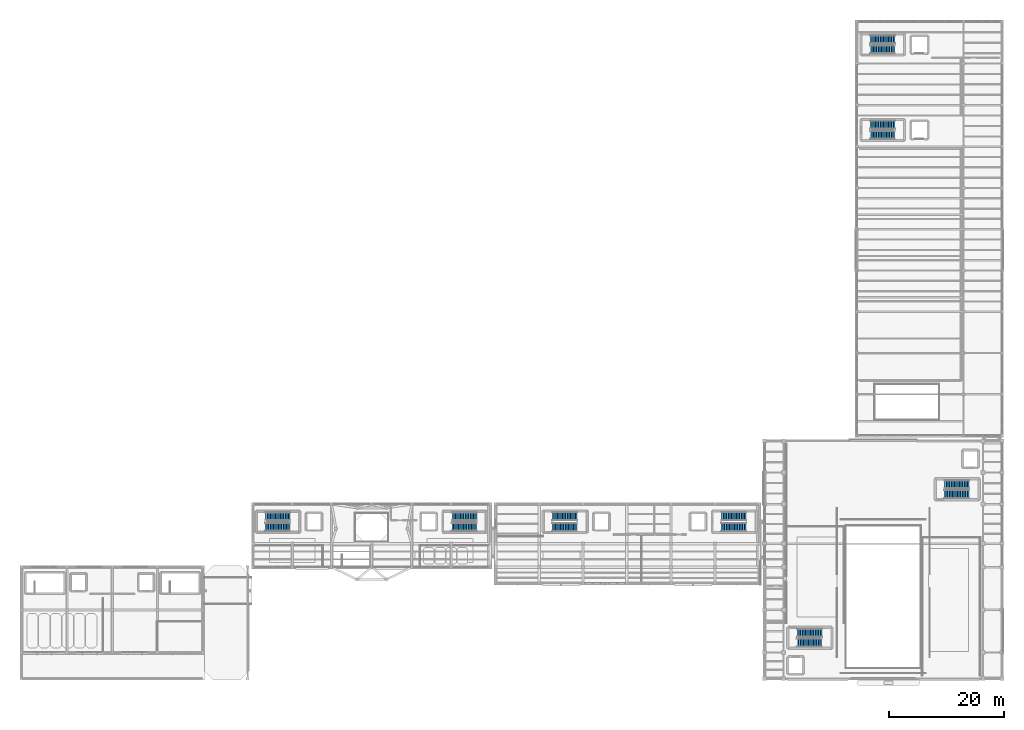
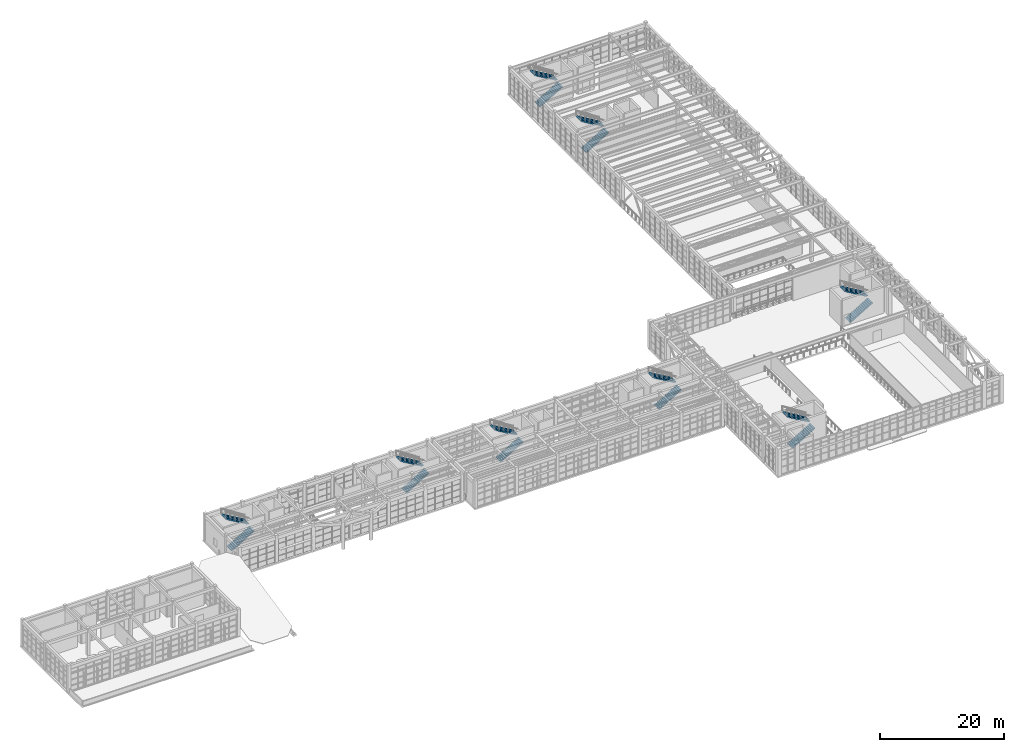
# One storey, part 94 of 103: 16 stair flights, 8 elements without a shape of their own.
"""IFC4 building model written with IfcOpenShell, lengths in metres."""

from ifc_helpers import new_model, si_unit, direction, frame, origin, place, context, subcontext, project, spatial, polyline, outline, extrude, material, type_object, element, aggregate, save


model = new_model("IFC4")

# Units and contexts
model_context = context("Model", 3, precision=1e-05, world=origin(), true_north=direction((0.0, 1.0)))
body_context = subcontext(model_context, "Body", "Model", "MODEL_VIEW")
ifc_project = project(units=[si_unit("LENGTHUNIT", "METRE"), si_unit("AREAUNIT", "SQUARE_METRE"), si_unit("VOLUMEUNIT", "CUBIC_METRE"), si_unit("PLANEANGLEUNIT", "RADIAN"), si_unit("MASSUNIT", "GRAM", prefix="KILO")], contexts=[model_context])

# Site, building, storey
site_placement = place(None, origin())
site = spatial("IfcSite", under=ifc_project, at=site_placement, CompositionType="ELEMENT")
building_placement = place(site_placement, origin())
building = spatial("IfcBuilding", under=site, at=building_placement, Name="Candilejo Ridge Gondola Terminal", CompositionType="ELEMENT")
storey_placement = place(building_placement, frame((0.0, 0.0, 9.0)))
storey = spatial("IfcBuildingStorey", under=building, at=storey_placement, Name="L02", CompositionType="ELEMENT", Elevation=9.0)

# Stair, stair flights
ifc_material_1 = material(Name="Concrete f'c 35 MPa (C35/45)", Category="concrete")
stair_type_1 = type_object("IfcStairType", Name="STR-STAIR-1450-5400", PredefinedType="HALF_TURN_STAIR", material=ifc_material_1)
stair_1_placement = place(storey_placement, origin())
stair_1 = element("IfcStair", 1, at=stair_1_placement, inside=storey, type_object=stair_type_1, Name="Enclosed fire exit stair ST-V2A-L02", PredefinedType="HALF_TURN_STAIR")
ifc_material_2 = material(Name="Concrete f'c 35 MPa (C35/45)", Category="concrete")
stair_flight_type_1 = type_object("IfcStairFlightType", Name="STR-FLIGHT-CORE-1450", PredefinedType="STRAIGHT", material=ifc_material_2)
stair_flight_1_placement = place(storey_placement, frame((46.800048828125, 32.68994140625, 0.0), z_axis=(0.0, 0.0, 1.0), x_axis=(1.0, 0.0, 0.0)))
stair_flight_1 = element("IfcStairFlight", 2, at=stair_flight_1_placement, type_object=stair_flight_type_1, Name="Stair flight ST-V2A-F05", NumberOfRisers=16, NumberOfTreads=15, PredefinedType="STRAIGHT", RiserHeight=0.16875, TreadLength=0.285, context=body_context, shape_type="SweptSolid", body=[
    extrude(outline(polyline([(0.0, 0.0), (0.0, 0.168701171875), (0.284912109375, 0.168701171875), (0.284912109375, 0.33740234375), (0.570068359375, 0.33740234375), (0.570068359375, 0.50634765625), (0.85498046875, 0.50634765625), (0.85498046875, 0.675048828125), (1.139892578125, 0.675048828125), (1.139892578125, 0.84375), (1.425048828125, 0.84375), (1.425048828125, 1.012451171875), (1.7099609375, 1.012451171875), (1.7099609375, 1.18115234375), (1.9951171875, 1.18115234375), (1.9951171875, 1.35009765625), (2.280029296875, 1.35009765625), (2.280029296875, 1.518798828125), (2.56494140625, 1.518798828125), (2.56494140625, 1.6875), (2.85009765625, 1.6875), (2.85009765625, 1.856201171875), (3.135009765625, 1.856201171875), (3.135009765625, 2.02490234375), (3.419921875, 2.02490234375), (3.419921875, 2.19384765625), (3.705078125, 2.19384765625), (3.705078125, 2.362548828125), (3.989990234375, 2.362548828125), (3.989990234375, 2.53125), (4.27490234375, 2.53125), (4.27490234375, 2.699951171875), (4.27490234375, 2.322021484375), (0.353271484375, 0.0), (0.0, 0.0)])), frame((0.0, 0.72509765625, 0.0), z_axis=(0.0, -1.0, 0.0), x_axis=(1.0, 0.0, 0.0)), (0.0, 0.0, 1.0), 1.449951171875),
])
stair_flight_2_placement = place(storey_placement, frame((51.135009765625, 34.56005859375, 2.699951171875), z_axis=(0.0, 0.0, 1.0), x_axis=(-1.0, 0.0, 0.0)))
stair_flight_2 = element("IfcStairFlight", 3, at=stair_flight_2_placement, type_object=stair_flight_type_1, Name="Stair flight ST-V2A-F06", NumberOfRisers=16, NumberOfTreads=15, PredefinedType="STRAIGHT", RiserHeight=0.16875, TreadLength=0.285, context=body_context, shape_type="SweptSolid", body=[
    extrude(outline(polyline([(0.0, 0.0), (0.0, 0.168701171875), (0.284912109375, 0.168701171875), (0.284912109375, 0.33740234375), (0.570068359375, 0.33740234375), (0.570068359375, 0.50634765625), (0.85498046875, 0.50634765625), (0.85498046875, 0.675048828125), (1.139892578125, 0.675048828125), (1.139892578125, 0.84375), (1.425048828125, 0.84375), (1.425048828125, 1.012451171875), (1.7099609375, 1.012451171875), (1.7099609375, 1.18115234375), (1.9951171875, 1.18115234375), (1.9951171875, 1.35009765625), (2.280029296875, 1.35009765625), (2.280029296875, 1.518798828125), (2.56494140625, 1.518798828125), (2.56494140625, 1.6875), (2.85009765625, 1.6875), (2.85009765625, 1.856201171875), (3.135009765625, 1.856201171875), (3.135009765625, 2.02490234375), (3.419921875, 2.02490234375), (3.419921875, 2.19384765625), (3.705078125, 2.19384765625), (3.705078125, 2.362548828125), (3.989990234375, 2.362548828125), (3.989990234375, 2.53125), (4.27490234375, 2.53125), (4.27490234375, 2.699951171875), (4.27490234375, 2.322021484375), (0.353271484375, 0.0), (0.0, 0.0)])), frame((0.0, 0.72509765625, 0.0), z_axis=(0.0, -1.0, 0.0), x_axis=(1.0, 0.0, 0.0)), (0.0, 0.0, 1.0), 1.449951171875),
])
aggregate(stair_1, [stair_flight_1, stair_flight_2])

stair_2_placement = place(storey_placement, origin())
stair_2 = element("IfcStair", 4, at=stair_2_placement, inside=storey, type_object=stair_type_1, Name="Enclosed fire exit stair ST-V2B-L02", PredefinedType="HALF_TURN_STAIR")
stair_flight_3_placement = place(storey_placement, frame((79.35009765625, 32.68994140625, 0.0), z_axis=(0.0, 0.0, 1.0), x_axis=(1.0, 0.0, 0.0)))
stair_flight_3 = element("IfcStairFlight", 5, at=stair_flight_3_placement, type_object=stair_flight_type_1, Name="Stair flight ST-V2B-F05", NumberOfRisers=16, NumberOfTreads=15, PredefinedType="STRAIGHT", RiserHeight=0.16875, TreadLength=0.285, context=body_context, shape_type="SweptSolid", body=[
    extrude(outline(polyline([(0.0, 0.0), (0.0, 0.168701171875), (0.284912109375, 0.168701171875), (0.284912109375, 0.33740234375), (0.570068359375, 0.33740234375), (0.570068359375, 0.50634765625), (0.85498046875, 0.50634765625), (0.85498046875, 0.675048828125), (1.139892578125, 0.675048828125), (1.139892578125, 0.84375), (1.425048828125, 0.84375), (1.425048828125, 1.012451171875), (1.7099609375, 1.012451171875), (1.7099609375, 1.18115234375), (1.9951171875, 1.18115234375), (1.9951171875, 1.35009765625), (2.280029296875, 1.35009765625), (2.280029296875, 1.518798828125), (2.56494140625, 1.518798828125), (2.56494140625, 1.6875), (2.85009765625, 1.6875), (2.85009765625, 1.856201171875), (3.135009765625, 1.856201171875), (3.135009765625, 2.02490234375), (3.419921875, 2.02490234375), (3.419921875, 2.19384765625), (3.705078125, 2.19384765625), (3.705078125, 2.362548828125), (3.989990234375, 2.362548828125), (3.989990234375, 2.53125), (4.27490234375, 2.53125), (4.27490234375, 2.699951171875), (4.27490234375, 2.322021484375), (0.353271484375, 0.0), (0.0, 0.0)])), frame((0.0, 0.72509765625, 0.0), z_axis=(0.0, -1.0, 0.0), x_axis=(1.0, 0.0, 0.0)), (0.0, 0.0, 1.0), 1.449951171875),
])
stair_flight_4_placement = place(storey_placement, frame((83.68505859375, 34.56005859375, 2.699951171875), z_axis=(0.0, 0.0, 1.0), x_axis=(-1.0, 0.0, 0.0)))
stair_flight_4 = element("IfcStairFlight", 6, at=stair_flight_4_placement, type_object=stair_flight_type_1, Name="Stair flight ST-V2B-F06", NumberOfRisers=16, NumberOfTreads=15, PredefinedType="STRAIGHT", RiserHeight=0.16875, TreadLength=0.285, context=body_context, shape_type="SweptSolid", body=[
    extrude(outline(polyline([(0.0, 0.0), (0.0, 0.168701171875), (0.284912109375, 0.168701171875), (0.284912109375, 0.33740234375), (0.570068359375, 0.33740234375), (0.570068359375, 0.50634765625), (0.85498046875, 0.50634765625), (0.85498046875, 0.675048828125), (1.139892578125, 0.675048828125), (1.139892578125, 0.84375), (1.425048828125, 0.84375), (1.425048828125, 1.012451171875), (1.7099609375, 1.012451171875), (1.7099609375, 1.18115234375), (1.9951171875, 1.18115234375), (1.9951171875, 1.35009765625), (2.280029296875, 1.35009765625), (2.280029296875, 1.518798828125), (2.56494140625, 1.518798828125), (2.56494140625, 1.6875), (2.85009765625, 1.6875), (2.85009765625, 1.856201171875), (3.135009765625, 1.856201171875), (3.135009765625, 2.02490234375), (3.419921875, 2.02490234375), (3.419921875, 2.19384765625), (3.705078125, 2.19384765625), (3.705078125, 2.362548828125), (3.989990234375, 2.362548828125), (3.989990234375, 2.53125), (4.27490234375, 2.53125), (4.27490234375, 2.699951171875), (4.27490234375, 2.322021484375), (0.353271484375, 0.0), (0.0, 0.0)])), frame((0.0, 0.72509765625, 0.0), z_axis=(0.0, -1.0, 0.0), x_axis=(1.0, 0.0, 0.0)), (0.0, 0.0, 1.0), 1.449951171875),
])
aggregate(stair_2, [stair_flight_3, stair_flight_4])

stair_3_placement = place(storey_placement, origin())
stair_3 = element("IfcStair", 7, at=stair_3_placement, inside=storey, type_object=stair_type_1, Name="Enclosed fire exit stair ST-V3A-L02", PredefinedType="HALF_TURN_STAIR")
stair_flight_5_placement = place(storey_placement, frame((96.85009765625, 32.652587890625, 0.0), z_axis=(0.0, 0.0, 1.0), x_axis=(1.0, 0.0, 0.0)))
stair_flight_5 = element("IfcStairFlight", 8, at=stair_flight_5_placement, type_object=stair_flight_type_1, Name="Stair flight ST-V3A-F05", NumberOfRisers=16, NumberOfTreads=15, PredefinedType="STRAIGHT", RiserHeight=0.16875, TreadLength=0.285, context=body_context, shape_type="SweptSolid", body=[
    extrude(outline(polyline([(0.0, 0.0), (0.0, 0.168701171875), (0.284912109375, 0.168701171875), (0.284912109375, 0.33740234375), (0.570068359375, 0.33740234375), (0.570068359375, 0.50634765625), (0.85498046875, 0.50634765625), (0.85498046875, 0.675048828125), (1.139892578125, 0.675048828125), (1.139892578125, 0.84375), (1.425048828125, 0.84375), (1.425048828125, 1.012451171875), (1.7099609375, 1.012451171875), (1.7099609375, 1.18115234375), (1.9951171875, 1.18115234375), (1.9951171875, 1.35009765625), (2.280029296875, 1.35009765625), (2.280029296875, 1.518798828125), (2.56494140625, 1.518798828125), (2.56494140625, 1.6875), (2.85009765625, 1.6875), (2.85009765625, 1.856201171875), (3.135009765625, 1.856201171875), (3.135009765625, 2.02490234375), (3.419921875, 2.02490234375), (3.419921875, 2.19384765625), (3.705078125, 2.19384765625), (3.705078125, 2.362548828125), (3.989990234375, 2.362548828125), (3.989990234375, 2.53125), (4.27490234375, 2.53125), (4.27490234375, 2.699951171875), (4.27490234375, 2.322021484375), (0.353271484375, 0.0), (0.0, 0.0)])), frame((0.0, 0.72509765625, 0.0), z_axis=(0.0, -1.0, 0.0), x_axis=(1.0, 0.0, 0.0)), (0.0, 0.0, 1.0), 1.449951171875),
])
stair_flight_6_placement = place(storey_placement, frame((101.18505859375, 34.597412109375, 2.699951171875), z_axis=(0.0, 0.0, 1.0), x_axis=(-1.0, 0.0, 0.0)))
stair_flight_6 = element("IfcStairFlight", 9, at=stair_flight_6_placement, type_object=stair_flight_type_1, Name="Stair flight ST-V3A-F06", NumberOfRisers=16, NumberOfTreads=15, PredefinedType="STRAIGHT", RiserHeight=0.16875, TreadLength=0.285, context=body_context, shape_type="SweptSolid", body=[
    extrude(outline(polyline([(0.0, 0.0), (0.0, 0.168701171875), (0.284912109375, 0.168701171875), (0.284912109375, 0.33740234375), (0.570068359375, 0.33740234375), (0.570068359375, 0.50634765625), (0.85498046875, 0.50634765625), (0.85498046875, 0.675048828125), (1.139892578125, 0.675048828125), (1.139892578125, 0.84375), (1.425048828125, 0.84375), (1.425048828125, 1.012451171875), (1.7099609375, 1.012451171875), (1.7099609375, 1.18115234375), (1.9951171875, 1.18115234375), (1.9951171875, 1.35009765625), (2.280029296875, 1.35009765625), (2.280029296875, 1.518798828125), (2.56494140625, 1.518798828125), (2.56494140625, 1.6875), (2.85009765625, 1.6875), (2.85009765625, 1.856201171875), (3.135009765625, 1.856201171875), (3.135009765625, 2.02490234375), (3.419921875, 2.02490234375), (3.419921875, 2.19384765625), (3.705078125, 2.19384765625), (3.705078125, 2.362548828125), (3.989990234375, 2.362548828125), (3.989990234375, 2.53125), (4.27490234375, 2.53125), (4.27490234375, 2.699951171875), (4.27490234375, 2.322021484375), (0.353271484375, 0.0), (0.0, 0.0)])), frame((0.0, 0.72509765625, 0.0), z_axis=(0.0, -1.0, 0.0), x_axis=(1.0, 0.0, 0.0)), (0.0, 0.0, 1.0), 1.449951171875),
])
aggregate(stair_3, [stair_flight_5, stair_flight_6])

stair_4_placement = place(storey_placement, origin())
stair_4 = element("IfcStair", 10, at=stair_4_placement, inside=storey, type_object=stair_type_1, Name="Enclosed fire exit stair ST-V3B-L02", PredefinedType="HALF_TURN_STAIR")
stair_flight_7_placement = place(storey_placement, frame((126.35009765625, 32.652587890625, 0.0), z_axis=(0.0, 0.0, 1.0), x_axis=(1.0, 0.0, 0.0)))
stair_flight_7 = element("IfcStairFlight", 11, at=stair_flight_7_placement, type_object=stair_flight_type_1, Name="Stair flight ST-V3B-F05", NumberOfRisers=16, NumberOfTreads=15, PredefinedType="STRAIGHT", RiserHeight=0.16875, TreadLength=0.285, context=body_context, shape_type="SweptSolid", body=[
    extrude(outline(polyline([(0.0, 0.0), (0.0, 0.168701171875), (0.284912109375, 0.168701171875), (0.284912109375, 0.33740234375), (0.570068359375, 0.33740234375), (0.570068359375, 0.50634765625), (0.85498046875, 0.50634765625), (0.85498046875, 0.675048828125), (1.139892578125, 0.675048828125), (1.139892578125, 0.84375), (1.425048828125, 0.84375), (1.425048828125, 1.012451171875), (1.7099609375, 1.012451171875), (1.7099609375, 1.18115234375), (1.9951171875, 1.18115234375), (1.9951171875, 1.35009765625), (2.280029296875, 1.35009765625), (2.280029296875, 1.518798828125), (2.56494140625, 1.518798828125), (2.56494140625, 1.6875), (2.85009765625, 1.6875), (2.85009765625, 1.856201171875), (3.135009765625, 1.856201171875), (3.135009765625, 2.02490234375), (3.419921875, 2.02490234375), (3.419921875, 2.19384765625), (3.705078125, 2.19384765625), (3.705078125, 2.362548828125), (3.989990234375, 2.362548828125), (3.989990234375, 2.53125), (4.27490234375, 2.53125), (4.27490234375, 2.699951171875), (4.27490234375, 2.322021484375), (0.353271484375, 0.0), (0.0, 0.0)])), frame((0.0, 0.72509765625, 0.0), z_axis=(0.0, -1.0, 0.0), x_axis=(1.0, 0.0, 0.0)), (0.0, 0.0, 1.0), 1.449951171875),
])
stair_flight_8_placement = place(storey_placement, frame((130.68505859375, 34.597412109375, 2.699951171875), z_axis=(0.0, 0.0, 1.0), x_axis=(-1.0, 0.0, 0.0)))
stair_flight_8 = element("IfcStairFlight", 12, at=stair_flight_8_placement, type_object=stair_flight_type_1, Name="Stair flight ST-V3B-F06", NumberOfRisers=16, NumberOfTreads=15, PredefinedType="STRAIGHT", RiserHeight=0.16875, TreadLength=0.285, context=body_context, shape_type="SweptSolid", body=[
    extrude(outline(polyline([(0.0, 0.0), (0.0, 0.168701171875), (0.284912109375, 0.168701171875), (0.284912109375, 0.33740234375), (0.570068359375, 0.33740234375), (0.570068359375, 0.50634765625), (0.85498046875, 0.50634765625), (0.85498046875, 0.675048828125), (1.139892578125, 0.675048828125), (1.139892578125, 0.84375), (1.425048828125, 0.84375), (1.425048828125, 1.012451171875), (1.7099609375, 1.012451171875), (1.7099609375, 1.18115234375), (1.9951171875, 1.18115234375), (1.9951171875, 1.35009765625), (2.280029296875, 1.35009765625), (2.280029296875, 1.518798828125), (2.56494140625, 1.518798828125), (2.56494140625, 1.6875), (2.85009765625, 1.6875), (2.85009765625, 1.856201171875), (3.135009765625, 1.856201171875), (3.135009765625, 2.02490234375), (3.419921875, 2.02490234375), (3.419921875, 2.19384765625), (3.705078125, 2.19384765625), (3.705078125, 2.362548828125), (3.989990234375, 2.362548828125), (3.989990234375, 2.53125), (4.27490234375, 2.53125), (4.27490234375, 2.699951171875), (4.27490234375, 2.322021484375), (0.353271484375, 0.0), (0.0, 0.0)])), frame((0.0, 0.72509765625, 0.0), z_axis=(0.0, -1.0, 0.0), x_axis=(1.0, 0.0, 0.0)), (0.0, 0.0, 1.0), 1.449951171875),
])
aggregate(stair_4, [stair_flight_7, stair_flight_8])

ifc_material_3 = material(Name="Concrete f'c 35 MPa (C35/45)", Category="concrete")
stair_type_2 = type_object("IfcStairType", Name="STR-STAIR-1500-5400", PredefinedType="HALF_TURN_STAIR", material=ifc_material_3)
stair_5_placement = place(storey_placement, origin())
stair_5 = element("IfcStair", 13, at=stair_5_placement, inside=storey, type_object=stair_type_2, Name="Enclosed fire exit stair ST-V4A-L02", PredefinedType="HALF_TURN_STAIR")
ifc_material_4 = material(Name="Concrete f'c 35 MPa (C35/45)", Category="concrete")
stair_flight_type_2 = type_object("IfcStairFlightType", Name="STR-FLIGHT-CORE-1500", PredefinedType="STRAIGHT", material=ifc_material_4)
stair_flight_9_placement = place(storey_placement, frame((139.550048828125, 12.514892578125, 0.0), z_axis=(0.0, 0.0, 1.0), x_axis=(1.0, 0.0, 0.0)))
stair_flight_9 = element("IfcStairFlight", 14, at=stair_flight_9_placement, type_object=stair_flight_type_2, Name="Stair flight ST-V4A-F05", NumberOfRisers=16, NumberOfTreads=15, PredefinedType="STRAIGHT", RiserHeight=0.16875, TreadLength=0.285, context=body_context, shape_type="SweptSolid", body=[
    extrude(outline(polyline([(0.0, 0.0), (0.0, 0.168701171875), (0.284912109375, 0.168701171875), (0.284912109375, 0.33740234375), (0.570068359375, 0.33740234375), (0.570068359375, 0.50634765625), (0.85498046875, 0.50634765625), (0.85498046875, 0.675048828125), (1.139892578125, 0.675048828125), (1.139892578125, 0.84375), (1.425048828125, 0.84375), (1.425048828125, 1.012451171875), (1.7099609375, 1.012451171875), (1.7099609375, 1.18115234375), (1.9951171875, 1.18115234375), (1.9951171875, 1.35009765625), (2.280029296875, 1.35009765625), (2.280029296875, 1.518798828125), (2.56494140625, 1.518798828125), (2.56494140625, 1.6875), (2.85009765625, 1.6875), (2.85009765625, 1.856201171875), (3.135009765625, 1.856201171875), (3.135009765625, 2.02490234375), (3.419921875, 2.02490234375), (3.419921875, 2.19384765625), (3.705078125, 2.19384765625), (3.705078125, 2.362548828125), (3.989990234375, 2.362548828125), (3.989990234375, 2.53125), (4.27490234375, 2.53125), (4.27490234375, 2.699951171875), (4.27490234375, 2.322021484375), (0.353271484375, 0.0), (0.0, 0.0)])), frame((0.0, 0.75, 0.0), z_axis=(0.0, -1.0, 0.0), x_axis=(1.0, 0.0, 0.0)), (0.0, 0.0, 1.0), 1.5),
])
stair_flight_10_placement = place(storey_placement, frame((143.885009765625, 14.235107421875, 2.699951171875), z_axis=(0.0, 0.0, 1.0), x_axis=(-1.0, 0.0, 0.0)))
stair_flight_10 = element("IfcStairFlight", 15, at=stair_flight_10_placement, type_object=stair_flight_type_2, Name="Stair flight ST-V4A-F06", NumberOfRisers=16, NumberOfTreads=15, PredefinedType="STRAIGHT", RiserHeight=0.16875, TreadLength=0.285, context=body_context, shape_type="SweptSolid", body=[
    extrude(outline(polyline([(0.0, 0.0), (0.0, 0.168701171875), (0.284912109375, 0.168701171875), (0.284912109375, 0.33740234375), (0.570068359375, 0.33740234375), (0.570068359375, 0.50634765625), (0.85498046875, 0.50634765625), (0.85498046875, 0.675048828125), (1.139892578125, 0.675048828125), (1.139892578125, 0.84375), (1.425048828125, 0.84375), (1.425048828125, 1.012451171875), (1.7099609375, 1.012451171875), (1.7099609375, 1.18115234375), (1.9951171875, 1.18115234375), (1.9951171875, 1.35009765625), (2.280029296875, 1.35009765625), (2.280029296875, 1.518798828125), (2.56494140625, 1.518798828125), (2.56494140625, 1.6875), (2.85009765625, 1.6875), (2.85009765625, 1.856201171875), (3.135009765625, 1.856201171875), (3.135009765625, 2.02490234375), (3.419921875, 2.02490234375), (3.419921875, 2.19384765625), (3.705078125, 2.19384765625), (3.705078125, 2.362548828125), (3.989990234375, 2.362548828125), (3.989990234375, 2.53125), (4.27490234375, 2.53125), (4.27490234375, 2.699951171875), (4.27490234375, 2.322021484375), (0.353271484375, 0.0), (0.0, 0.0)])), frame((0.0, 0.75, 0.0), z_axis=(0.0, -1.0, 0.0), x_axis=(1.0, 0.0, 0.0)), (0.0, 0.0, 1.0), 1.5),
])
aggregate(stair_5, [stair_flight_9, stair_flight_10])

stair_6_placement = place(storey_placement, origin())
stair_6 = element("IfcStair", 16, at=stair_6_placement, inside=storey, type_object=stair_type_2, Name="Enclosed fire exit stair ST-V4B-L02", PredefinedType="HALF_TURN_STAIR")
stair_flight_11_placement = place(storey_placement, frame((165.25, 38.4150390625, 0.0), z_axis=(0.0, 0.0, 1.0), x_axis=(1.0, 0.0, 0.0)))
stair_flight_11 = element("IfcStairFlight", 17, at=stair_flight_11_placement, type_object=stair_flight_type_2, Name="Stair flight ST-V4B-F05", NumberOfRisers=16, NumberOfTreads=15, PredefinedType="STRAIGHT", RiserHeight=0.16875, TreadLength=0.285, context=body_context, shape_type="SweptSolid", body=[
    extrude(outline(polyline([(0.0, 0.0), (0.0, 0.168701171875), (0.284912109375, 0.168701171875), (0.284912109375, 0.33740234375), (0.570068359375, 0.33740234375), (0.570068359375, 0.50634765625), (0.85498046875, 0.50634765625), (0.85498046875, 0.675048828125), (1.139892578125, 0.675048828125), (1.139892578125, 0.84375), (1.425048828125, 0.84375), (1.425048828125, 1.012451171875), (1.7099609375, 1.012451171875), (1.7099609375, 1.18115234375), (1.9951171875, 1.18115234375), (1.9951171875, 1.35009765625), (2.280029296875, 1.35009765625), (2.280029296875, 1.518798828125), (2.56494140625, 1.518798828125), (2.56494140625, 1.6875), (2.85009765625, 1.6875), (2.85009765625, 1.856201171875), (3.135009765625, 1.856201171875), (3.135009765625, 2.02490234375), (3.419921875, 2.02490234375), (3.419921875, 2.19384765625), (3.705078125, 2.19384765625), (3.705078125, 2.362548828125), (3.989990234375, 2.362548828125), (3.989990234375, 2.53125), (4.27490234375, 2.53125), (4.27490234375, 2.699951171875), (4.27490234375, 2.322021484375), (0.353271484375, 0.0), (0.0, 0.0)])), frame((0.0, 0.75, 0.0), z_axis=(0.0, -1.0, 0.0), x_axis=(1.0, 0.0, 0.0)), (0.0, 0.0, 1.0), 1.5),
])
stair_flight_12_placement = place(storey_placement, frame((169.5849609375, 40.135009765625, 2.699951171875), z_axis=(0.0, 0.0, 1.0), x_axis=(-1.0, 0.0, 0.0)))
stair_flight_12 = element("IfcStairFlight", 18, at=stair_flight_12_placement, type_object=stair_flight_type_2, Name="Stair flight ST-V4B-F06", NumberOfRisers=16, NumberOfTreads=15, PredefinedType="STRAIGHT", RiserHeight=0.16875, TreadLength=0.285, context=body_context, shape_type="SweptSolid", body=[
    extrude(outline(polyline([(0.0, 0.0), (0.0, 0.168701171875), (0.284912109375, 0.168701171875), (0.284912109375, 0.33740234375), (0.570068359375, 0.33740234375), (0.570068359375, 0.50634765625), (0.85498046875, 0.50634765625), (0.85498046875, 0.675048828125), (1.139892578125, 0.675048828125), (1.139892578125, 0.84375), (1.425048828125, 0.84375), (1.425048828125, 1.012451171875), (1.7099609375, 1.012451171875), (1.7099609375, 1.18115234375), (1.9951171875, 1.18115234375), (1.9951171875, 1.35009765625), (2.280029296875, 1.35009765625), (2.280029296875, 1.518798828125), (2.56494140625, 1.518798828125), (2.56494140625, 1.6875), (2.85009765625, 1.6875), (2.85009765625, 1.856201171875), (3.135009765625, 1.856201171875), (3.135009765625, 2.02490234375), (3.419921875, 2.02490234375), (3.419921875, 2.19384765625), (3.705078125, 2.19384765625), (3.705078125, 2.362548828125), (3.989990234375, 2.362548828125), (3.989990234375, 2.53125), (4.27490234375, 2.53125), (4.27490234375, 2.699951171875), (4.27490234375, 2.322021484375), (0.353271484375, 0.0), (0.0, 0.0)])), frame((0.0, 0.75, 0.0), z_axis=(0.0, -1.0, 0.0), x_axis=(1.0, 0.0, 0.0)), (0.0, 0.0, 1.0), 1.5),
])
aggregate(stair_6, [stair_flight_11, stair_flight_12])

stair_7_placement = place(storey_placement, origin())
stair_7 = element("IfcStair", 19, at=stair_7_placement, inside=storey, type_object=stair_type_2, Name="Enclosed fire exit stair ST-V5A-L02", PredefinedType="HALF_TURN_STAIR")
stair_flight_13_placement = place(storey_placement, frame((152.300048828125, 101.090087890625, 0.0), z_axis=(0.0, 0.0, 1.0), x_axis=(1.0, 0.0, 0.0)))
stair_flight_13 = element("IfcStairFlight", 20, at=stair_flight_13_placement, type_object=stair_flight_type_2, Name="Stair flight ST-V5A-F03", NumberOfRisers=16, NumberOfTreads=15, PredefinedType="STRAIGHT", RiserHeight=0.16875, TreadLength=0.285, context=body_context, shape_type="SweptSolid", body=[
    extrude(outline(polyline([(0.0, 0.0), (0.0, 0.168701171875), (0.284912109375, 0.168701171875), (0.284912109375, 0.33740234375), (0.570068359375, 0.33740234375), (0.570068359375, 0.50634765625), (0.85498046875, 0.50634765625), (0.85498046875, 0.675048828125), (1.139892578125, 0.675048828125), (1.139892578125, 0.84375), (1.425048828125, 0.84375), (1.425048828125, 1.012451171875), (1.7099609375, 1.012451171875), (1.7099609375, 1.18115234375), (1.9951171875, 1.18115234375), (1.9951171875, 1.35009765625), (2.280029296875, 1.35009765625), (2.280029296875, 1.518798828125), (2.56494140625, 1.518798828125), (2.56494140625, 1.6875), (2.85009765625, 1.6875), (2.85009765625, 1.856201171875), (3.135009765625, 1.856201171875), (3.135009765625, 2.02490234375), (3.419921875, 2.02490234375), (3.419921875, 2.19384765625), (3.705078125, 2.19384765625), (3.705078125, 2.362548828125), (3.989990234375, 2.362548828125), (3.989990234375, 2.53125), (4.27490234375, 2.53125), (4.27490234375, 2.699951171875), (4.27490234375, 2.322021484375), (0.353271484375, 0.0), (0.0, 0.0)])), frame((0.0, 0.75, 0.0), z_axis=(0.0, -1.0, 0.0), x_axis=(1.0, 0.0, 0.0)), (0.0, 0.0, 1.0), 1.5),
])
stair_flight_14_placement = place(storey_placement, frame((156.635009765625, 102.860107421875, 2.699951171875), z_axis=(0.0, 0.0, 1.0), x_axis=(-1.0, 0.0, 0.0)))
stair_flight_14 = element("IfcStairFlight", 21, at=stair_flight_14_placement, type_object=stair_flight_type_2, Name="Stair flight ST-V5A-F04", NumberOfRisers=16, NumberOfTreads=15, PredefinedType="STRAIGHT", RiserHeight=0.16875, TreadLength=0.285, context=body_context, shape_type="SweptSolid", body=[
    extrude(outline(polyline([(0.0, 0.0), (0.0, 0.168701171875), (0.284912109375, 0.168701171875), (0.284912109375, 0.33740234375), (0.570068359375, 0.33740234375), (0.570068359375, 0.50634765625), (0.85498046875, 0.50634765625), (0.85498046875, 0.675048828125), (1.139892578125, 0.675048828125), (1.139892578125, 0.84375), (1.425048828125, 0.84375), (1.425048828125, 1.012451171875), (1.7099609375, 1.012451171875), (1.7099609375, 1.18115234375), (1.9951171875, 1.18115234375), (1.9951171875, 1.35009765625), (2.280029296875, 1.35009765625), (2.280029296875, 1.518798828125), (2.56494140625, 1.518798828125), (2.56494140625, 1.6875), (2.85009765625, 1.6875), (2.85009765625, 1.856201171875), (3.135009765625, 1.856201171875), (3.135009765625, 2.02490234375), (3.419921875, 2.02490234375), (3.419921875, 2.19384765625), (3.705078125, 2.19384765625), (3.705078125, 2.362548828125), (3.989990234375, 2.362548828125), (3.989990234375, 2.53125), (4.27490234375, 2.53125), (4.27490234375, 2.699951171875), (4.27490234375, 2.322021484375), (0.353271484375, 0.0), (0.0, 0.0)])), frame((0.0, 0.75, 0.0), z_axis=(0.0, -1.0, 0.0), x_axis=(1.0, 0.0, 0.0)), (0.0, 0.0, 1.0), 1.5),
])
aggregate(stair_7, [stair_flight_13, stair_flight_14])

stair_8_placement = place(storey_placement, origin())
stair_8 = element("IfcStair", 22, at=stair_8_placement, inside=storey, type_object=stair_type_2, Name="Enclosed fire exit stair ST-V5B-L02", PredefinedType="HALF_TURN_STAIR")
stair_flight_15_placement = place(storey_placement, frame((152.300048828125, 115.989990234375, 0.0), z_axis=(0.0, 0.0, 1.0), x_axis=(1.0, 0.0, 0.0)))
stair_flight_15 = element("IfcStairFlight", 23, at=stair_flight_15_placement, type_object=stair_flight_type_2, Name="Stair flight ST-V5B-F03", NumberOfRisers=16, NumberOfTreads=15, PredefinedType="STRAIGHT", RiserHeight=0.16875, TreadLength=0.285, context=body_context, shape_type="SweptSolid", body=[
    extrude(outline(polyline([(0.0, 0.0), (0.0, 0.168701171875), (0.284912109375, 0.168701171875), (0.284912109375, 0.33740234375), (0.570068359375, 0.33740234375), (0.570068359375, 0.50634765625), (0.85498046875, 0.50634765625), (0.85498046875, 0.675048828125), (1.139892578125, 0.675048828125), (1.139892578125, 0.84375), (1.425048828125, 0.84375), (1.425048828125, 1.012451171875), (1.7099609375, 1.012451171875), (1.7099609375, 1.18115234375), (1.9951171875, 1.18115234375), (1.9951171875, 1.35009765625), (2.280029296875, 1.35009765625), (2.280029296875, 1.518798828125), (2.56494140625, 1.518798828125), (2.56494140625, 1.6875), (2.85009765625, 1.6875), (2.85009765625, 1.856201171875), (3.135009765625, 1.856201171875), (3.135009765625, 2.02490234375), (3.419921875, 2.02490234375), (3.419921875, 2.19384765625), (3.705078125, 2.19384765625), (3.705078125, 2.362548828125), (3.989990234375, 2.362548828125), (3.989990234375, 2.53125), (4.27490234375, 2.53125), (4.27490234375, 2.699951171875), (4.27490234375, 2.322021484375), (0.353271484375, 0.0), (0.0, 0.0)])), frame((0.0, 0.75, 0.0), z_axis=(0.0, -1.0, 0.0), x_axis=(1.0, 0.0, 0.0)), (0.0, 0.0, 1.0), 1.5),
])
stair_flight_16_placement = place(storey_placement, frame((156.635009765625, 117.760009765625, 2.699951171875), z_axis=(0.0, 0.0, 1.0), x_axis=(-1.0, 0.0, 0.0)))
stair_flight_16 = element("IfcStairFlight", 24, at=stair_flight_16_placement, type_object=stair_flight_type_2, Name="Stair flight ST-V5B-F04", NumberOfRisers=16, NumberOfTreads=15, PredefinedType="STRAIGHT", RiserHeight=0.16875, TreadLength=0.285, context=body_context, shape_type="SweptSolid", body=[
    extrude(outline(polyline([(0.0, 0.0), (0.0, 0.168701171875), (0.284912109375, 0.168701171875), (0.284912109375, 0.33740234375), (0.570068359375, 0.33740234375), (0.570068359375, 0.50634765625), (0.85498046875, 0.50634765625), (0.85498046875, 0.675048828125), (1.139892578125, 0.675048828125), (1.139892578125, 0.84375), (1.425048828125, 0.84375), (1.425048828125, 1.012451171875), (1.7099609375, 1.012451171875), (1.7099609375, 1.18115234375), (1.9951171875, 1.18115234375), (1.9951171875, 1.35009765625), (2.280029296875, 1.35009765625), (2.280029296875, 1.518798828125), (2.56494140625, 1.518798828125), (2.56494140625, 1.6875), (2.85009765625, 1.6875), (2.85009765625, 1.856201171875), (3.135009765625, 1.856201171875), (3.135009765625, 2.02490234375), (3.419921875, 2.02490234375), (3.419921875, 2.19384765625), (3.705078125, 2.19384765625), (3.705078125, 2.362548828125), (3.989990234375, 2.362548828125), (3.989990234375, 2.53125), (4.27490234375, 2.53125), (4.27490234375, 2.699951171875), (4.27490234375, 2.322021484375), (0.353271484375, 0.0), (0.0, 0.0)])), frame((0.0, 0.75, 0.0), z_axis=(0.0, -1.0, 0.0), x_axis=(1.0, 0.0, 0.0)), (0.0, 0.0, 1.0), 1.5),
])
aggregate(stair_8, [stair_flight_15, stair_flight_16])

save(model, "model.ifc")
